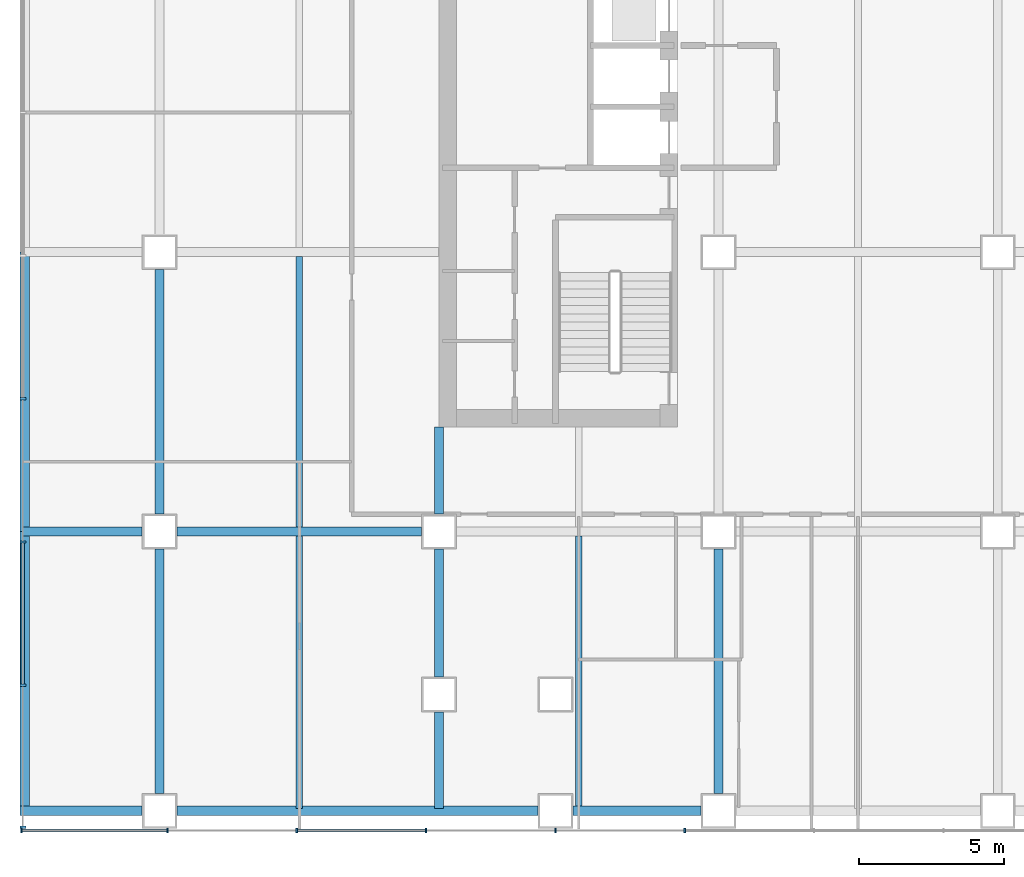
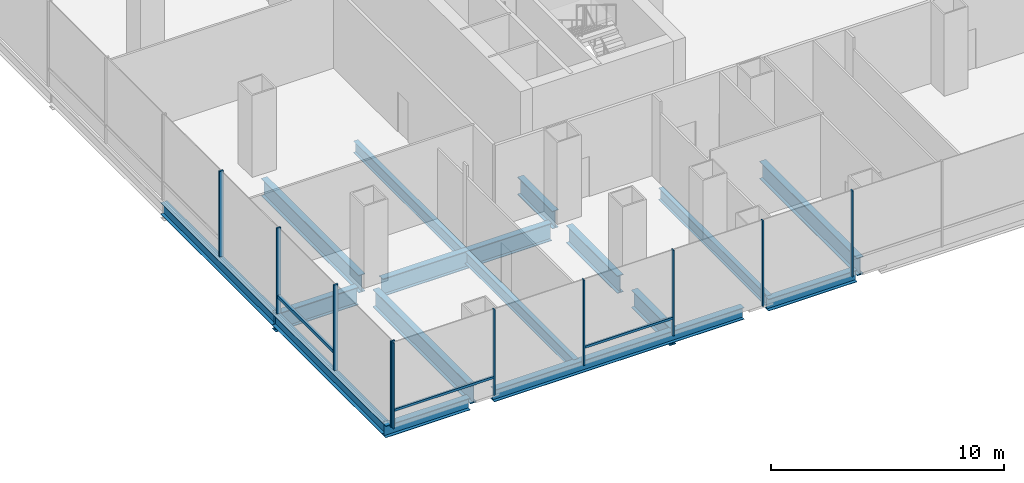
# One storey, part 2 of 23: 16 beams, 13 members, 2 elements without a shape of their own.
"""IFC4 building model written with IfcOpenShell, lengths in metres."""

from ifc_helpers import new_model, si_unit, direction, frame, origin, origin_2d, place, context, subcontext, project, spatial, rectangle, i_section, extrude, material, material_profile, profile_set, type_object, element, aggregate, save


model = new_model("IFC4")

# Units and contexts
model_context = context("Model", 3, precision=1e-05, world=origin(), true_north=direction((0.0, 1.0)))
body_context = subcontext(model_context, "Body", "Model", "MODEL_VIEW")
ifc_project = project(units=[si_unit("LENGTHUNIT", "METRE"), si_unit("AREAUNIT", "SQUARE_METRE"), si_unit("VOLUMEUNIT", "CUBIC_METRE"), si_unit("PLANEANGLEUNIT", "RADIAN"), si_unit("MASSUNIT", "GRAM", prefix="KILO")], contexts=[model_context])

# Site, building, storey
site_placement = place(None, origin())
site = spatial("IfcSite", under=ifc_project, at=site_placement, CompositionType="ELEMENT")
building_placement = place(site_placement, origin())
building = spatial("IfcBuilding", under=site, at=building_placement, Name="Cobrizo Arcos Hotel Tower", CompositionType="ELEMENT")
storey_placement = place(building_placement, frame((0.0, 0.0, 20.0)))
storey = spatial("IfcBuildingStorey", under=building, at=storey_placement, Name="L03", CompositionType="ELEMENT", Elevation=20.0)

# Curtain wall, members
ifc_material_1 = material(Name="Aluminium 6063-T6 anodised bronze", Category="aluminium")
curtain_wall_type_1 = type_object("IfcCurtainWallType", Name="CW-A guest facade", PredefinedType="NOTDEFINED", material=ifc_material_1)
curtain_wall_1_placement = place(storey_placement, origin())
curtain_wall_1 = element("IfcCurtainWall", 1, at=curtain_wall_1_placement, inside=storey, type_object=curtain_wall_type_1, Name="CW-A L03 S face", PredefinedType="NOTDEFINED")
ifc_material_profile_1 = material_profile(ifc_material_1, rectangle(XDim=0.14990234375, YDim=0.06005859375, at=origin_2d()), Name="CW-A mullion 150x60")
ifc_profile_set_1 = profile_set([ifc_material_profile_1], Name="Aluminium 6063-T6 anodised bronze")
member_type_1 = type_object("IfcMemberType", Name="CW-A mullion 150x60", PredefinedType="MULLION", material=ifc_profile_set_1)
member_1_placement = place(storey_placement, frame((-38.344970703125, -24.675048828125, 0.0), z_axis=(0.0, 0.0, 1.0), x_axis=(0.0, -1.0, 0.0)))
member_1 = element("IfcMember", 2, at=member_1_placement, type_object=member_type_1, Name="CW-A mullion 1", PredefinedType="MULLION", context=body_context, shape_type="SweptSolid", body=[
    extrude(rectangle(XDim=0.14990234375, YDim=0.06005859375, at=origin_2d()), origin(), (0.0, 0.0, 1.0), 4.5),
])
member_2_placement = place(storey_placement, frame((-33.333251953125, -24.675048828125, 0.0), z_axis=(0.0, 0.0, 1.0), x_axis=(0.0, -1.0, 0.0)))
member_2 = element("IfcMember", 3, at=member_2_placement, type_object=member_type_1, Name="CW-A mullion 2", PredefinedType="MULLION", context=body_context, shape_type="SweptSolid", body=[
    extrude(rectangle(XDim=0.14990234375, YDim=0.06005859375, at=origin_2d()), origin(), (0.0, 0.0, 1.0), 4.5),
])
member_3_placement = place(storey_placement, frame((-28.888916015625, -24.675048828125, 0.0), z_axis=(0.0, 0.0, 1.0), x_axis=(0.0, -1.0, 0.0)))
member_3 = element("IfcMember", 4, at=member_3_placement, type_object=member_type_1, Name="CW-A mullion 3", PredefinedType="MULLION", context=body_context, shape_type="SweptSolid", body=[
    extrude(rectangle(XDim=0.14990234375, YDim=0.06005859375, at=origin_2d()), origin(), (0.0, 0.0, 1.0), 4.5),
])
member_4_placement = place(storey_placement, frame((-24.4443359375, -24.675048828125, 0.0), z_axis=(0.0, 0.0, 1.0), x_axis=(0.0, -1.0, 0.0)))
member_4 = element("IfcMember", 5, at=member_4_placement, type_object=member_type_1, Name="CW-A mullion 4", PredefinedType="MULLION", context=body_context, shape_type="SweptSolid", body=[
    extrude(rectangle(XDim=0.14990234375, YDim=0.06005859375, at=origin_2d()), origin(), (0.0, 0.0, 1.0), 4.5),
])
member_5_placement = place(storey_placement, frame((-20.0, -24.675048828125, 0.0), z_axis=(0.0, 0.0, 1.0), x_axis=(0.0, -1.0, 0.0)))
member_5 = element("IfcMember", 6, at=member_5_placement, type_object=member_type_1, Name="CW-A mullion 5", PredefinedType="MULLION", context=body_context, shape_type="SweptSolid", body=[
    extrude(rectangle(XDim=0.14990234375, YDim=0.06005859375, at=origin_2d()), origin(), (0.0, 0.0, 1.0), 4.5),
])
member_6_placement = place(storey_placement, frame((-15.5556640625, -24.675048828125, 0.0), z_axis=(0.0, 0.0, 1.0), x_axis=(0.0, -1.0, 0.0)))
member_6 = element("IfcMember", 7, at=member_6_placement, type_object=member_type_1, Name="CW-A mullion 6", PredefinedType="MULLION", context=body_context, shape_type="SweptSolid", body=[
    extrude(rectangle(XDim=0.14990234375, YDim=0.06005859375, at=origin_2d()), origin(), (0.0, 0.0, 1.0), 4.5),
])
ifc_material_profile_2 = material_profile(ifc_material_1, rectangle(XDim=0.10009765625, YDim=0.1201171875, at=origin_2d()), Name="CW-A transom 120x100")
ifc_profile_set_2 = profile_set([ifc_material_profile_2], Name="Aluminium 6063-T6 anodised bronze")
member_type_2 = type_object("IfcMemberType", Name="CW-A transom 120x100", PredefinedType="USERDEFINED", material=ifc_profile_set_2)
member_7_placement = place(storey_placement, frame((-38.31494140625, -24.675048828125, 0.929931640625), z_axis=(1.0, 0.0, 0.0), x_axis=(0.0, 1.0, 0.0)))
member_7 = element("IfcMember", 8, at=member_7_placement, type_object=member_type_2, Name="CW-A transom 198", ObjectType="TRANSOM", PredefinedType="USERDEFINED", context=body_context, shape_type="SweptSolid", body=[
    extrude(rectangle(XDim=0.10009765625, YDim=0.1201171875, at=origin_2d()), origin(), (0.0, 0.0, 1.0), 4.95166015625),
])
member_8_placement = place(storey_placement, frame((-28.85888671875, -24.675048828125, 0.929931640625), z_axis=(1.0, 0.0, 0.0), x_axis=(0.0, 1.0, 0.0)))
member_8 = element("IfcMember", 9, at=member_8_placement, type_object=member_type_2, Name="CW-A transom 200", ObjectType="TRANSOM", PredefinedType="USERDEFINED", context=body_context, shape_type="SweptSolid", body=[
    extrude(rectangle(XDim=0.10009765625, YDim=0.1201171875, at=origin_2d()), origin(), (0.0, 0.0, 1.0), 4.384521484375),
])
aggregate(curtain_wall_1, [member_1, member_2, member_3, member_4, member_5, member_6, member_7, member_8])

curtain_wall_type_2 = type_object("IfcCurtainWallType", Name="CW-B podium glazing", PredefinedType="NOTDEFINED", material=ifc_material_1)
curtain_wall_2_placement = place(storey_placement, origin())
curtain_wall_2 = element("IfcCurtainWall", 10, at=curtain_wall_2_placement, inside=storey, type_object=curtain_wall_type_2, Name="CW-B L03 W face", PredefinedType="NOTDEFINED")
ifc_material_profile_3 = material_profile(ifc_material_1, rectangle(XDim=0.199951171875, YDim=0.080078125, at=origin_2d()), Name="CW-B mullion 200x80")
ifc_profile_set_3 = profile_set([ifc_material_profile_3], Name="Aluminium 6063-T6 anodised bronze")
member_type_3 = type_object("IfcMemberType", Name="CW-B mullion 200x80", PredefinedType="MULLION", material=ifc_profile_set_3)
member_9_placement = place(storey_placement, frame((-38.300048828125, -9.840087890625, 0.0), z_axis=(0.0, 0.0, 1.0), x_axis=(-1.0, 0.0, 0.0)))
member_9 = element("IfcMember", 11, at=member_9_placement, type_object=member_type_3, Name="CW-B mullion 8", PredefinedType="MULLION", context=body_context, shape_type="SweptSolid", body=[
    extrude(rectangle(XDim=0.199951171875, YDim=0.080078125, at=origin_2d()), origin(), (0.0, 0.0, 1.0), 4.5),
])
member_10_placement = place(storey_placement, frame((-38.300048828125, -14.760009765625, 0.0), z_axis=(0.0, 0.0, 1.0), x_axis=(-1.0, 0.0, 0.0)))
member_10 = element("IfcMember", 12, at=member_10_placement, type_object=member_type_3, Name="CW-B mullion 9", PredefinedType="MULLION", context=body_context, shape_type="SweptSolid", body=[
    extrude(rectangle(XDim=0.199951171875, YDim=0.080078125, at=origin_2d()), origin(), (0.0, 0.0, 1.0), 4.5),
])
member_11_placement = place(storey_placement, frame((-38.300048828125, -19.679931640625, 0.0), z_axis=(0.0, 0.0, 1.0), x_axis=(-1.0, 0.0, 0.0)))
member_11 = element("IfcMember", 13, at=member_11_placement, type_object=member_type_3, Name="CW-B mullion 10", PredefinedType="MULLION", context=body_context, shape_type="SweptSolid", body=[
    extrude(rectangle(XDim=0.199951171875, YDim=0.080078125, at=origin_2d()), origin(), (0.0, 0.0, 1.0), 4.5),
])
member_12_placement = place(storey_placement, frame((-38.300048828125, -24.56005859375, 0.0), z_axis=(0.0, 0.0, 1.0), x_axis=(-1.0, 0.0, 0.0)))
member_12 = element("IfcMember", 14, at=member_12_placement, type_object=member_type_3, Name="CW-B mullion 11", PredefinedType="MULLION", context=body_context, shape_type="SweptSolid", body=[
    extrude(rectangle(XDim=0.199951171875, YDim=0.080078125, at=origin_2d()), origin(), (0.0, 0.0, 1.0), 4.5),
])
ifc_material_profile_4 = material_profile(ifc_material_1, rectangle(XDim=0.1201171875, YDim=0.159912109375, at=origin_2d()), Name="CW-B transom 160x120")
ifc_profile_set_4 = profile_set([ifc_material_profile_4], Name="Aluminium 6063-T6 anodised bronze")
member_type_4 = type_object("IfcMemberType", Name="CW-B transom 160x120", PredefinedType="USERDEFINED", material=ifc_profile_set_4)
member_13_placement = place(storey_placement, frame((-38.300048828125, -14.800048828125, 0.89990234375), z_axis=(0.0, -1.0, 0.0), x_axis=(1.0, 0.0, 0.0)))
member_13 = element("IfcMember", 15, at=member_13_placement, type_object=member_type_4, Name="CW-B transom 196", ObjectType="TRANSOM", PredefinedType="USERDEFINED", context=body_context, shape_type="SweptSolid", body=[
    extrude(rectangle(XDim=0.1201171875, YDim=0.159912109375, at=origin_2d()), origin(), (0.0, 0.0, 1.0), 4.83984375),
])
aggregate(curtain_wall_2, [member_9, member_10, member_11, member_12, member_13])

# Beams
ifc_material_2 = material(Name="Steel ASTM A992 Grade 50", Category="steel")
ifc_material_profile_5 = material_profile(ifc_material_2, i_section(OverallWidth=0.32763671875, OverallDepth=0.622314453125, WebThickness=0.015380859375, FlangeThickness=0.0244140625, at=origin_2d()), Name="W24X131")
ifc_profile_set_5 = profile_set([ifc_material_profile_5], Name="Steel ASTM A992 Grade 50")
beam_type_1 = type_object("IfcBeamType", Name="W24X131 edge beam", PredefinedType="BEAM", material=ifc_profile_set_5)
beam_1_placement = place(storey_placement, frame((-38.236083984375, -4.800048828125, -0.51123046875), z_axis=(0.0, -1.0, 0.0), x_axis=(1.0, 0.0, 0.0)))
element("IfcBeam", 16, at=beam_1_placement, inside=storey, type_object=beam_type_1, Name="Edge beam EB1, L03, no. 011", PredefinedType="BEAM", context=body_context, shape_type="SweptSolid", body=[
    extrude(i_section(OverallWidth=0.32763671875, OverallDepth=0.622314453125, WebThickness=0.015380859375, FlangeThickness=0.0244140625, at=origin_2d()), origin(), (0.0, 0.0, 1.0), 9.599853515625),
])
beam_2_placement = place(storey_placement, frame((-38.236083984375, -14.39990234375, -0.51123046875), z_axis=(0.0, -1.0, 0.0), x_axis=(1.0, 0.0, 0.0)))
element("IfcBeam", 17, at=beam_2_placement, inside=storey, type_object=beam_type_1, Name="Edge beam EB1, L03, no. 012", PredefinedType="BEAM", context=body_context, shape_type="SweptSolid", body=[
    extrude(i_section(OverallWidth=0.32763671875, OverallDepth=0.622314453125, WebThickness=0.015380859375, FlangeThickness=0.0244140625, at=origin_2d()), origin(), (0.0, 0.0, 1.0), 9.60009765625),
])
beam_3_placement = place(storey_placement, frame((-38.39990234375, -24.0, -0.51123046875), z_axis=(1.0, 0.0, 0.0), x_axis=(0.0, 1.0, 0.0)))
element("IfcBeam", 18, at=beam_3_placement, inside=storey, type_object=beam_type_1, Name="Edge beam EB1, L03, no. 013", PredefinedType="BEAM", context=body_context, shape_type="SweptSolid", body=[
    extrude(i_section(OverallWidth=0.32763671875, OverallDepth=0.622314453125, WebThickness=0.015380859375, FlangeThickness=0.0244140625, at=origin_2d()), origin(), (0.0, 0.0, 1.0), 4.199951171875),
])
ifc_material_profile_6 = material_profile(ifc_material_2, i_section(OverallWidth=0.32763671875, OverallDepth=0.622314453125, WebThickness=0.015380859375, FlangeThickness=0.0244140625, at=origin_2d()), Name="W24X131")
ifc_profile_set_6 = profile_set([ifc_material_profile_6], Name="Steel ASTM A992 Grade 50")
beam_type_2 = type_object("IfcBeamType", Name="W24X131 spandrel", PredefinedType="SPANDREL", material=ifc_profile_set_6)
beam_4_placement = place(storey_placement, frame((-33.0, -24.0, -0.51123046875), z_axis=(1.0, 0.0, 0.0), x_axis=(0.0, 1.0, 0.0)))
element("IfcBeam", 19, at=beam_4_placement, inside=storey, type_object=beam_type_2, Name="Spandrel beam W24X131, L03, no. 008", PredefinedType="SPANDREL", context=body_context, shape_type="SweptSolid", body=[
    extrude(i_section(OverallWidth=0.32763671875, OverallDepth=0.622314453125, WebThickness=0.015380859375, FlangeThickness=0.0244140625, at=origin_2d()), origin(), (0.0, 0.0, 1.0), 12.39990234375),
])
beam_5_placement = place(storey_placement, frame((-19.39990234375, -24.0, -0.51123046875), z_axis=(1.0, 0.0, 0.0), x_axis=(0.0, 1.0, 0.0)))
element("IfcBeam", 20, at=beam_5_placement, inside=storey, type_object=beam_type_2, Name="Spandrel beam W24X131, L03, no. 009", PredefinedType="SPANDREL", context=body_context, shape_type="SweptSolid", body=[
    extrude(i_section(OverallWidth=0.32763671875, OverallDepth=0.622314453125, WebThickness=0.015380859375, FlangeThickness=0.0244140625, at=origin_2d()), origin(), (0.0, 0.0, 1.0), 4.39990234375),
])
ifc_material_profile_7 = material_profile(ifc_material_2, i_section(OverallWidth=0.23046875, OverallDepth=0.6171875, WebThickness=0.01318359375, FlangeThickness=0.022216796875, at=origin_2d()), Name="W24X94")
ifc_profile_set_7 = profile_set([ifc_material_profile_7], Name="Steel ASTM A992 Grade 50")
beam_type_3 = type_object("IfcBeamType", Name="W24X94 podium joist", PredefinedType="JOIST", material=ifc_profile_set_7)
beam_6_placement = place(storey_placement, frame((-28.800048828125, -23.909912109375, -0.508544921875), z_axis=(0.0, 1.0, 0.0), x_axis=(-1.0, 0.0, 0.0)))
element("IfcBeam", 21, at=beam_6_placement, inside=storey, type_object=beam_type_3, Name="Podium joist PJ1, L03, no. 001", PredefinedType="JOIST", context=body_context, shape_type="SweptSolid", body=[
    extrude(i_section(OverallWidth=0.23046875, OverallDepth=0.6171875, WebThickness=0.01318359375, FlangeThickness=0.022216796875, at=origin_2d()), origin(), (0.0, 0.0, 1.0), 9.356201171875),
])
beam_7_placement = place(storey_placement, frame((-28.800048828125, -14.246337890625, -0.508544921875), z_axis=(0.0, 1.0, 0.0), x_axis=(-1.0, 0.0, 0.0)))
element("IfcBeam", 22, at=beam_7_placement, inside=storey, type_object=beam_type_3, Name="Podium joist PJ1, L03, no. 002", PredefinedType="JOIST", context=body_context, shape_type="SweptSolid", body=[
    extrude(i_section(OverallWidth=0.23046875, OverallDepth=0.6171875, WebThickness=0.01318359375, FlangeThickness=0.022216796875, at=origin_2d()), origin(), (0.0, 0.0, 1.0), 9.292724609375),
])
beam_8_placement = place(storey_placement, frame((-19.199951171875, -23.909912109375, -0.508544921875), z_axis=(0.0, 1.0, 0.0), x_axis=(-1.0, 0.0, 0.0)))
element("IfcBeam", 23, at=beam_8_placement, inside=storey, type_object=beam_type_3, Name="Podium joist PJ1, L03, no. 006", PredefinedType="JOIST", context=body_context, shape_type="SweptSolid", body=[
    extrude(i_section(OverallWidth=0.23046875, OverallDepth=0.6171875, WebThickness=0.01318359375, FlangeThickness=0.022216796875, at=origin_2d()), origin(), (0.0, 0.0, 1.0), 9.356201171875),
])
ifc_material_profile_8 = material_profile(ifc_material_2, i_section(OverallWidth=0.307373046875, OverallDepth=0.927001953125, WebThickness=0.01953125, FlangeThickness=0.031982421875, at=origin_2d()), Name="W36X194")
ifc_profile_set_8 = profile_set([ifc_material_profile_8], Name="Steel ASTM A992 Grade 50")
beam_type_4 = type_object("IfcBeamType", Name="W36X194 podium girder", PredefinedType="BEAM", material=ifc_profile_set_8)
beam_9_placement = place(storey_placement, frame((-38.31005859375, -14.39990234375, -0.66357421875), z_axis=(1.0, 0.0, 0.0), x_axis=(0.0, 1.0, 0.0)))
element("IfcBeam", 24, at=beam_9_placement, inside=storey, type_object=beam_type_4, Name="Podium girder PG1, L03, no. 001", PredefinedType="BEAM", context=body_context, shape_type="SweptSolid", body=[
    extrude(i_section(OverallWidth=0.307373046875, OverallDepth=0.927001953125, WebThickness=0.01953125, FlangeThickness=0.031982421875, at=origin_2d()), origin(), (0.0, 0.0, 1.0), 4.110107421875),
])
for number, where, z_axis, x_axis, name in (
    (25, (-33.0, -14.39990234375, -0.66357421875), (1.0, 0.0, 0.0), (0.0, 1.0, 0.0), "Podium girder PG1, L03, no. 002"),
    (26, (-33.60009765625, -23.39990234375, -0.66357421875), (0.0, 1.0, 0.0), (-1.0, 0.0, 0.0), "Podium girder PG1, L03, no. 035"),
):
    element("IfcBeam", number, at=place(storey_placement, frame(where, z_axis=z_axis, x_axis=x_axis)), inside=storey, type_object=beam_type_4, Name=name, PredefinedType="BEAM", context=body_context, shape_type="SweptSolid", body=[
        extrude(i_section(OverallWidth=0.307373046875, OverallDepth=0.927001953125, WebThickness=0.01953125, FlangeThickness=0.031982421875, at=origin_2d()), origin(), (0.0, 0.0, 1.0), 8.39990234375),
    ])
beam_10_placement = place(storey_placement, frame((-33.60009765625, -13.800048828125, -0.66357421875), z_axis=(0.0, 1.0, 0.0), x_axis=(-1.0, 0.0, 0.0)))
element("IfcBeam", 27, at=beam_10_placement, inside=storey, type_object=beam_type_4, Name="Podium girder PG1, L03, no. 036", PredefinedType="BEAM", context=body_context, shape_type="SweptSolid", body=[
    extrude(i_section(OverallWidth=0.307373046875, OverallDepth=0.927001953125, WebThickness=0.01953125, FlangeThickness=0.031982421875, at=origin_2d()), origin(), (0.0, 0.0, 1.0), 8.400146484375),
])
beam_11_placement = place(storey_placement, frame((-24.0, -23.909912109375, -0.66357421875), z_axis=(0.0, 1.0, 0.0), x_axis=(-1.0, 0.0, 0.0)))
element("IfcBeam", 28, at=beam_11_placement, inside=storey, type_object=beam_type_4, Name="Podium girder PG1, L03, no. 040", PredefinedType="BEAM", context=body_context, shape_type="SweptSolid", body=[
    extrude(i_section(OverallWidth=0.307373046875, OverallDepth=0.927001953125, WebThickness=0.01953125, FlangeThickness=0.031982421875, at=origin_2d()), origin(), (0.0, 0.0, 1.0), 3.309814453125),
])
beam_12_placement = place(storey_placement, frame((-24.0, -19.39990234375, -0.66357421875), z_axis=(0.0, 1.0, 0.0), x_axis=(-1.0, 0.0, 0.0)))
element("IfcBeam", 29, at=beam_12_placement, inside=storey, type_object=beam_type_4, Name="Podium girder PG1, L03, no. 041", PredefinedType="BEAM", context=body_context, shape_type="SweptSolid", body=[
    extrude(i_section(OverallWidth=0.307373046875, OverallDepth=0.927001953125, WebThickness=0.01953125, FlangeThickness=0.031982421875, at=origin_2d()), origin(), (0.0, 0.0, 1.0), 4.39990234375),
])
beam_13_placement = place(storey_placement, frame((-24.0, -13.800048828125, -0.66357421875), z_axis=(0.0, 1.0, 0.0), x_axis=(-1.0, 0.0, 0.0)))
element("IfcBeam", 30, at=beam_13_placement, inside=storey, type_object=beam_type_4, Name="Podium girder PG1, L03, no. 042", PredefinedType="BEAM", context=body_context, shape_type="SweptSolid", body=[
    extrude(i_section(OverallWidth=0.307373046875, OverallDepth=0.927001953125, WebThickness=0.01953125, FlangeThickness=0.031982421875, at=origin_2d()), origin(), (0.0, 0.0, 1.0), 2.989990234375),
])
beam_14_placement = place(storey_placement, frame((-14.39990234375, -23.39990234375, -0.66357421875), z_axis=(0.0, 1.0, 0.0), x_axis=(-1.0, 0.0, 0.0)))
element("IfcBeam", 31, at=beam_14_placement, inside=storey, type_object=beam_type_4, Name="Podium girder PG1, L03, no. 046", PredefinedType="BEAM", context=body_context, shape_type="SweptSolid", body=[
    extrude(i_section(OverallWidth=0.307373046875, OverallDepth=0.927001953125, WebThickness=0.01953125, FlangeThickness=0.031982421875, at=origin_2d()), origin(), (0.0, 0.0, 1.0), 8.39990234375),
])

save(model, "model.ifc")
